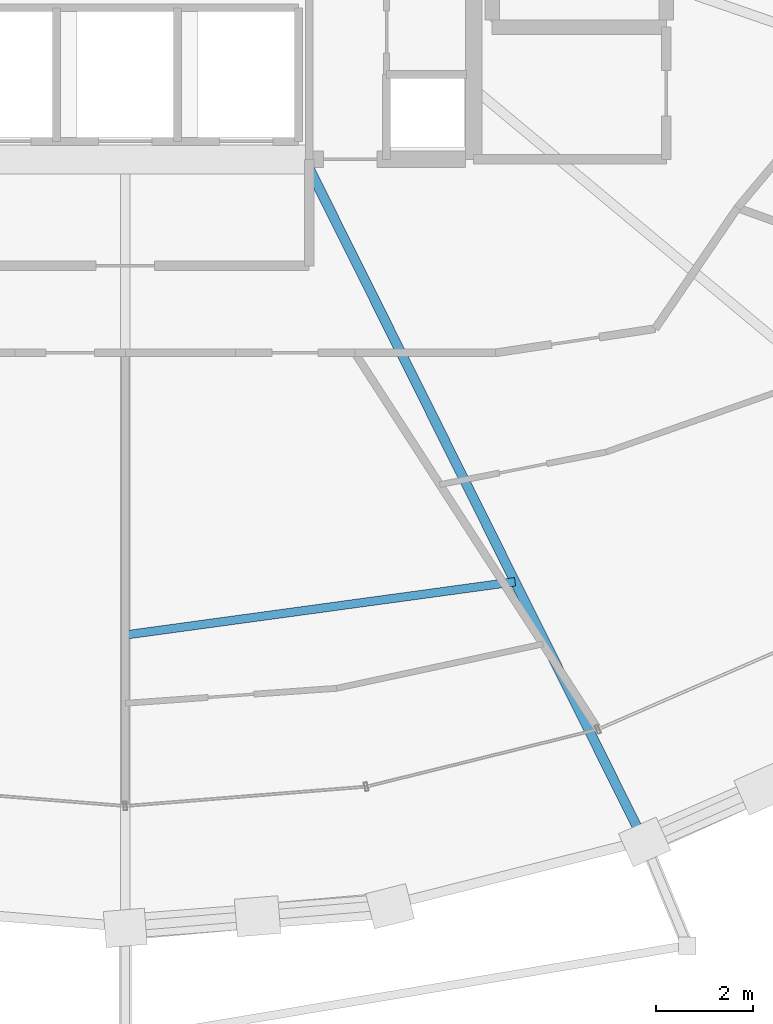
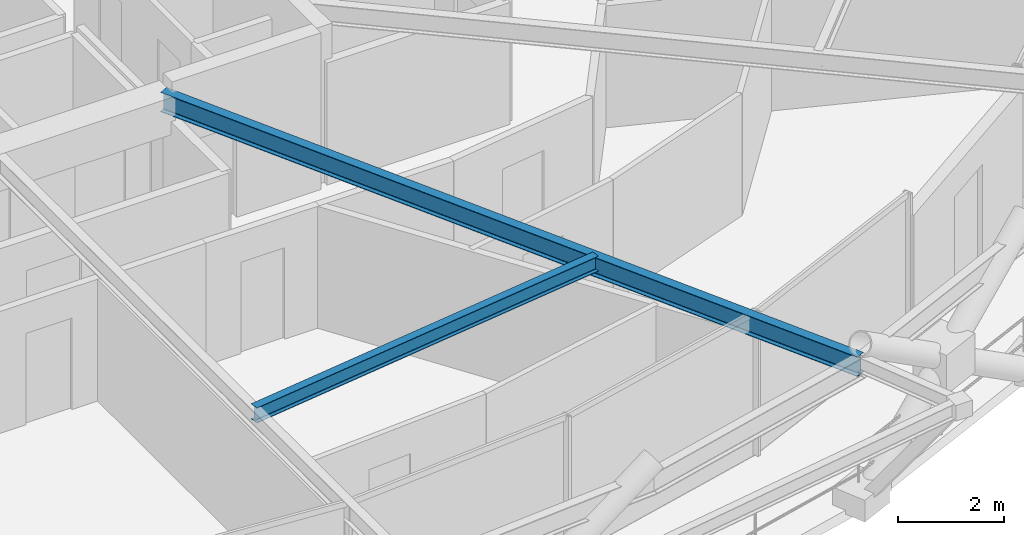
# One storey, part 5 of 20: 2 beams.
"""IFC4 building model written with IfcOpenShell, lengths in metres."""

import ifcopenshell
import ifcopenshell.guid

model = None  # the IFC model being written
_history = None  # IfcOwnerHistory: only IFC2X3 demands one
_inside = {}  # id of a spatial element -> (the spatial element, [elements in it])
_under = {}  # id of a project, library or spatial element -> (it, [spatial elements below it])
_declared = {}  # id of a project -> (the project, [libraries it declares])
_typed = {}  # id of a type object -> (the type object, [elements of that type])
_made_of = {}  # id of a material, layer set ... -> (it, [elements and type objects made of it])


def new_model(schema):
    """Start an empty IFC model of exactly this schema.

    Asked for "IFC4X3", IfcOpenShell would pick the latest addendum, in which some entities
    have other attributes; the version numbers below select the first issue.
    IFC2X3 requires an IfcOwnerHistory on every rooted entity: one is made here for all.
    """
    global model, _history
    if schema == "IFC4X3":
        model = ifcopenshell.file(schema_version=(4, 3, 0, 0))
    else:
        model = ifcopenshell.file(schema=schema)
    _inside.clear()
    _under.clear()
    _declared.clear()
    _typed.clear()
    _made_of.clear()
    _history = None
    if model.schema == "IFC2X3":
        org = make("IfcOrganization", Name="unknown")
        user = make(
            "IfcPersonAndOrganization",
            ThePerson=make("IfcPerson", FamilyName="unknown"),
            TheOrganization=org,
        )
        app = make(
            "IfcApplication",
            ApplicationDeveloper=org,
            Version="unknown",
            ApplicationFullName="unknown",
            ApplicationIdentifier="unknown",
        )
        _history = make(
            "IfcOwnerHistory",
            OwningUser=user,
            OwningApplication=app,
            ChangeAction="ADDED",
            CreationDate=0,
        )
    return model


def make(cls, **values):
    """One entity of the class cls with the attributes given. An attribute that is None is left unset."""
    return model.create_entity(
        cls, **{name: value for name, value in values.items() if value is not None}
    )


def rooted(cls, **values):
    """An entity with a GlobalId (a new one), such as an element, a storey or a relation."""
    return make(cls, GlobalId=ifcopenshell.guid.new(), OwnerHistory=_history, **values)


def si_unit(unit_type, name, prefix=None):
    """IfcSIUnit, for example si_unit("LENGTHUNIT", "METRE", prefix="MILLI")."""
    return make("IfcSIUnit", UnitType=unit_type, Prefix=prefix, Name=name)


def assignment(units):
    """IfcUnitAssignment: the units of a project."""
    return None if units is None else make("IfcUnitAssignment", Units=units)


def point(xyz):
    """IfcCartesianPoint."""
    return None if xyz is None else make("IfcCartesianPoint", Coordinates=xyz)


def direction(xyz):
    """IfcDirection."""
    return None if xyz is None else make("IfcDirection", DirectionRatios=xyz)


def frame(location, z_axis=None, x_axis=None):
    """IfcAxis2Placement3D, a coordinate frame: its origin and axes. An axis left out is left unset."""
    return make(
        "IfcAxis2Placement3D",
        Location=point(location),
        Axis=direction(z_axis),
        RefDirection=direction(x_axis),
    )


def frame_2d(location, x_axis=None):
    """IfcAxis2Placement2D, a coordinate frame in the plane: its origin and x axis."""
    return make(
        "IfcAxis2Placement2D", Location=point(location), RefDirection=direction(x_axis)
    )


def origin():
    """The frame at (0, 0, 0) with its axes left unset."""
    return frame((0.0, 0.0, 0.0))


def origin_2d():
    """The frame at (0, 0) in the plane with its x axis left unset."""
    return frame_2d((0.0, 0.0))


def place(relative_to, where):
    """IfcLocalPlacement: puts the frame where relative to a parent placement (None: the world)."""
    return make(
        "IfcLocalPlacement", PlacementRelTo=relative_to, RelativePlacement=where
    )


def context(
    kind, dimensions, precision=None, world=None, true_north=None, identifier=None
):
    """IfcGeometricRepresentationContext, for example the 3D "Model" context."""
    return make(
        "IfcGeometricRepresentationContext",
        ContextIdentifier=identifier,
        ContextType=kind,
        CoordinateSpaceDimension=dimensions,
        Precision=precision,
        WorldCoordinateSystem=world,
        TrueNorth=true_north,
    )


def subcontext(parent, identifier, kind, view, scale=None):
    """IfcGeometricRepresentationSubContext, for example "Body" below "Model"."""
    return make(
        "IfcGeometricRepresentationSubContext",
        ContextIdentifier=identifier,
        ContextType=kind,
        ParentContext=parent,
        TargetScale=scale,
        TargetView=view,
    )


def project(units=None, contexts=None):
    """IfcProject with its units and contexts."""
    return rooted(
        "IfcProject",
        Name="project",
        RepresentationContexts=contexts,
        UnitsInContext=assignment(units),
    )


def spatial(cls, under=None, at=None, **own):
    """A site, building, storey or space (cls), placed at a placement, below another one or the project."""
    s = rooted(cls, ObjectPlacement=at, **own)
    if under is not None:
        _under.setdefault(under.id(), (under, []))[1].append(s)
    return s


def profile(cls, at=None, kind="AREA", **sizes):
    """A parametric profile (cls). Its sizes go by their IFC names, for example OverallWidth=200.0."""
    return make(cls, ProfileType=kind, Position=at, **sizes)


def i_section(**sizes):
    """IfcIShapeProfileDef."""
    return profile("IfcIShapeProfileDef", **sizes)


def extrude(swept, where, along, depth):
    """IfcExtrudedAreaSolid: the profile swept, set in the frame where, extruded along a direction by depth."""
    return make(
        "IfcExtrudedAreaSolid",
        SweptArea=swept,
        Position=where,
        ExtrudedDirection=direction(along),
        Depth=depth,
    )


def shape(context_of_items, identifier, shape_type, items):
    """IfcShapeRepresentation: the items that make up one representation, for example the "Body"."""
    return make(
        "IfcShapeRepresentation",
        ContextOfItems=context_of_items,
        RepresentationIdentifier=identifier,
        RepresentationType=shape_type,
        Items=items,
    )


def material(Name=None, Category=None):
    """IfcMaterial."""
    return make("IfcMaterial", Name=Name, Category=Category)


def material_profile(
    of_material, cross_section, Name=None, Category=None, Priority=None
):
    """IfcMaterialProfile: a cross section and its material."""
    return make(
        "IfcMaterialProfile",
        Name=Name,
        Material=of_material,
        Profile=cross_section,
        Priority=Priority,
        Category=Category,
    )


def profile_set(profiles, Name=None, composite=None):
    """IfcMaterialProfileSet."""
    return make(
        "IfcMaterialProfileSet",
        Name=Name,
        MaterialProfiles=profiles,
        CompositeProfile=composite,
    )


def made_of(thing, what):
    """Note that an element or type object is made of a material, layer set ...; save() writes the relation."""
    if what is not None:
        _made_of.setdefault(what.id(), (what, []))[1].append(thing)
    return thing


def type_object(cls, material=None, **own):
    """A type object (cls), such as IfcWallType, which elements share."""
    return made_of(rooted(cls, **own), material)


def element(
    cls,
    number,
    at=None,
    inside=None,
    cuts=None,
    type_object=None,
    material=None,
    context=None,
    identifier="Body",
    shape_type=None,
    held_by="IfcProductDefinitionShape",
    body=None,
    shapes=None,
    **own,
):
    """One element of the class cls, such as IfcWall. Its Tag is "e" and its number.

    at: its placement. inside: the storey or other place that contains it. cuts: it is an
    opening in that element (IfcRelVoidsElement). A single representation is given by context,
    identifier, shape_type and body (its items); several are given by shapes. held_by: the class
    of the entity that holds the representations. save() writes the other relations.
    """
    e = rooted(cls, Tag="e%d" % number, ObjectPlacement=at, **own)
    if body is not None:
        shapes = [shape(context, identifier, shape_type, body)]
    if shapes is not None:
        e.Representation = make(held_by, Representations=shapes)
    if inside is not None:
        _inside.setdefault(inside.id(), (inside, []))[1].append(e)
    if cuts is not None:
        rooted(
            "IfcRelVoidsElement", RelatingBuildingElement=cuts, RelatedOpeningElement=e
        )
    if type_object is not None:
        _typed.setdefault(type_object.id(), (type_object, []))[1].append(e)
    return made_of(e, material)


def aggregate(whole, parts):
    """IfcRelAggregates: a whole, such as a stair, and the parts it consists of."""
    return rooted("IfcRelAggregates", RelatingObject=whole, RelatedObjects=parts)


def save(model, path):
    """Write the relations noted so far, then the file.

    IfcRelAggregates (storeys below a building ...), IfcRelContainedInSpatialStructure (elements
    in a storey), IfcRelDefinesByType, IfcRelAssociatesMaterial and IfcRelDeclares: one each for
    every whole, place, type object, material and project.
    """
    for whole, parts in _under.values():
        aggregate(whole, parts)
    for where, things in _inside.values():
        rooted(
            "IfcRelContainedInSpatialStructure",
            RelatedElements=things,
            RelatingStructure=where,
        )
    for kind, things in _typed.values():
        rooted("IfcRelDefinesByType", RelatedObjects=things, RelatingType=kind)
    for what, things in _made_of.values():
        rooted("IfcRelAssociatesMaterial", RelatedObjects=things, RelatingMaterial=what)
    for by, libraries in _declared.values():
        rooted("IfcRelDeclares", RelatingContext=by, RelatedDefinitions=libraries)
    model.write(path)


model = new_model("IFC4")

# Units and contexts
model_context = context("Model", 3, precision=1e-05, world=origin(), true_north=direction((0.0, 1.0)))
body_context = subcontext(model_context, "Body", "Model", "MODEL_VIEW")
ifc_project = project(units=[si_unit("LENGTHUNIT", "METRE"), si_unit("AREAUNIT", "SQUARE_METRE"), si_unit("VOLUMEUNIT", "CUBIC_METRE"), si_unit("PLANEANGLEUNIT", "RADIAN"), si_unit("MASSUNIT", "GRAM", prefix="KILO")], contexts=[model_context])

# Site, building, storey
site_placement = place(None, origin())
site = spatial("IfcSite", under=ifc_project, at=site_placement, CompositionType="ELEMENT")
building_placement = place(site_placement, origin())
building = spatial("IfcBuilding", under=site, at=building_placement, Name="Veldorina Hangang Commons", CompositionType="ELEMENT")
storey_placement = place(building_placement, frame((0.0, 0.0, 171.199951171875)))
storey = spatial("IfcBuildingStorey", under=building, at=storey_placement, Name="L44", CompositionType="ELEMENT", Elevation=171.199951171875)

# Beams
ifc_material = material(Name="Steel SM355-TMC", Category="steel")
ifc_material_profile_1 = material_profile(ifc_material, i_section(OverallWidth=0.199951171875, OverallDepth=0.449951171875, WebThickness=0.009033203125, FlangeThickness=0.013916015625, FilletRadius=0.01611328125, at=origin_2d()), Name="H-450x200x9x14")
ifc_profile_set_1 = profile_set([ifc_material_profile_1], Name="Steel SM355-TMC")
beam_type_1 = type_object("IfcBeamType", Name="BM-FG450", PredefinedType="BEAM", material=ifc_profile_set_1)
beam_1_placement = place(storey_placement, frame((35.70849609375, 16.550048828125, 3.125), z_axis=(0.445617236074, -0.895223591576, 0.0), x_axis=(0.895223591576, 0.445617236074, 0.0)))
element("IfcBeam", 1, at=beam_1_placement, inside=storey, type_object=beam_type_1, Name="L44 radial floor girder 14", PredefinedType="BEAM", context=body_context, shape_type="SweptSolid", body=[
    extrude(i_section(OverallWidth=0.199951171875, OverallDepth=0.449951171875, WebThickness=0.009033203125, FlangeThickness=0.013916015625, FilletRadius=0.01611328125, at=origin_2d()), origin(), (0.0, 0.0, 1.0), 15.728759765625),
])
ifc_material_profile_2 = material_profile(ifc_material, i_section(OverallWidth=0.175048828125, OverallDepth=0.35009765625, WebThickness=0.007080078125, FlangeThickness=0.010986328125, FilletRadius=0.012939453125, at=origin_2d()), Name="H-350x175x7x11")
ifc_profile_set_2 = profile_set([ifc_material_profile_2], Name="Steel SM355-TMC")
beam_type_2 = type_object("IfcBeamType", Name="BM-JST350", PredefinedType="JOIST", material=ifc_profile_set_2)
beam_2_placement = place(storey_placement, frame((32.0, 6.72021484375, 3.175048828125), z_axis=(0.990804563945, 0.135300835422, 0.0), x_axis=(-0.135300835422, 0.990804563945, 0.0)))
element("IfcBeam", 2, at=beam_2_placement, inside=storey, type_object=beam_type_2, Name="L44 secondary floor joist 13", PredefinedType="JOIST", context=body_context, shape_type="SweptSolid", body=[
    extrude(i_section(OverallWidth=0.175048828125, OverallDepth=0.35009765625, WebThickness=0.007080078125, FlangeThickness=0.010986328125, FilletRadius=0.012939453125, at=origin_2d()), origin(), (0.0, 0.0, 1.0), 8.12890625),
])

save(model, "model.ifc")
